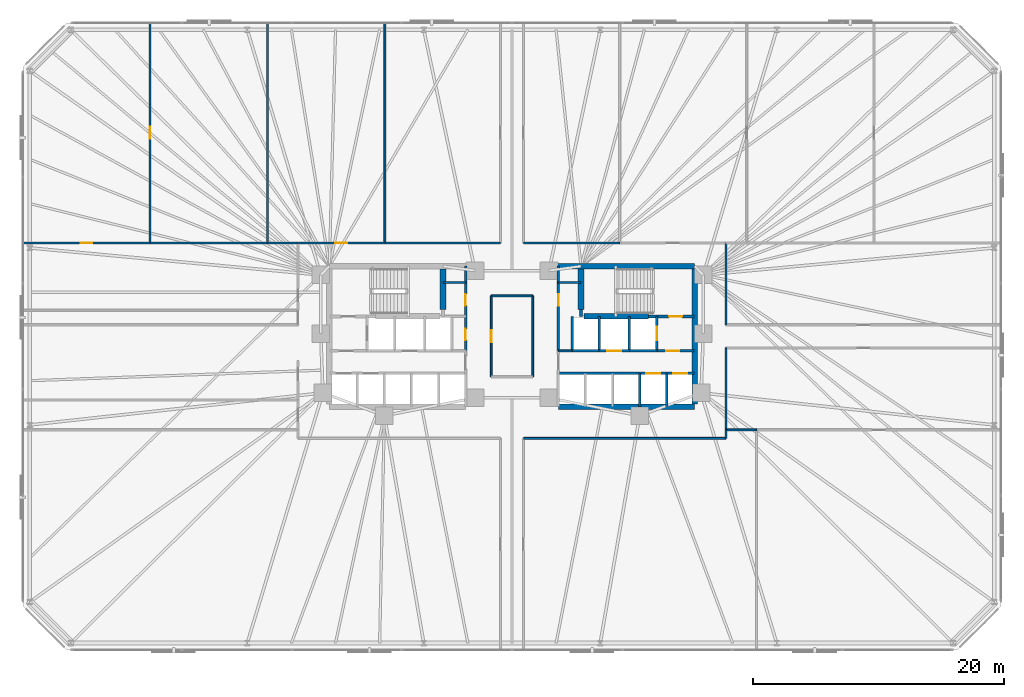
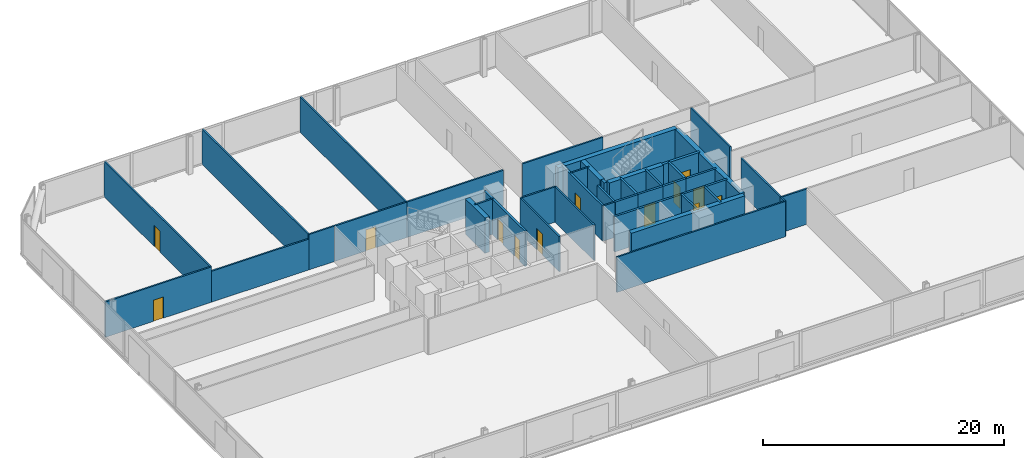
# One storey, part 13 of 16: 41 walls, 13 doors, 13 openings.
"""IFC4 building model written with IfcOpenShell, lengths in metres."""

from ifc_helpers import new_model, si_unit, direction, frame, frame_2d, origin, place, context, subcontext, project, spatial, rectangle, extrude, material, layer, layer_set, type_object, element, fill, save


model = new_model("IFC4")

# Units and contexts
model_context = context("Model", 3, precision=1e-05, world=origin(), true_north=direction((0.0, 1.0)))
body_context = subcontext(model_context, "Body", "Model", "MODEL_VIEW")
ifc_project = project(units=[si_unit("LENGTHUNIT", "METRE"), si_unit("AREAUNIT", "SQUARE_METRE"), si_unit("VOLUMEUNIT", "CUBIC_METRE"), si_unit("PLANEANGLEUNIT", "RADIAN"), si_unit("MASSUNIT", "GRAM", prefix="KILO")], contexts=[model_context])

# Site, building, storey
site_placement = place(None, origin())
site = spatial("IfcSite", under=ifc_project, at=site_placement, CompositionType="ELEMENT")
building_placement = place(site_placement, origin())
building = spatial("IfcBuilding", under=site, at=building_placement, Name="Menara Jurai Vektor", CompositionType="ELEMENT")
storey_placement = place(building_placement, frame((0.0, 0.0, 59.800048828125)))
storey = spatial("IfcBuildingStorey", under=building, at=storey_placement, Name="L14", CompositionType="ELEMENT", Elevation=59.800048828125)

# Wall, opening, door
ifc_material_1 = material(Name="Concrete C40/50", Category="concrete")
ifc_layer_1 = layer(ifc_material_1, 0.25)
ifc_layer_set_1 = layer_set([ifc_layer_1], Name="Concrete C40/50")
wall_type_1 = type_object("IfcWallType", Name="INT-WALL-CORE-250", PredefinedType="STANDARD", material=ifc_layer_set_1)
wall_1_placement = place(storey_placement, frame((10.89990234375, 1.60009765625, 0.0), z_axis=(0.0, 0.0, 1.0), x_axis=(1.0, 0.0, 0.0)))
wall_1 = element("IfcWall", 1, at=wall_1_placement, inside=storey, type_object=wall_type_1, Name="Interior Wall IW-250 L14", PredefinedType="STANDARD", context=body_context, shape_type="SweptSolid", body=[
    extrude(rectangle(XDim=3.60009765625, YDim=0.25, at=frame_2d((1.800048828125, 0.0))), origin(), (0.0, 0.0, 1.0), 3.574951171875),
])
opening_1_placement = place(wall_1_placement, frame((1.6201171875, 0.0, 0.0)))
opening_1 = element("IfcOpeningElement", 2, at=opening_1_placement, cuts=wall_1, Name="Opening D-L14-ST2", PredefinedType="OPENING", context=body_context, shape_type="SweptSolid", body=[
    extrude(rectangle(XDim=1.050048828125, YDim=2.14990234375, at=frame_2d((0.52490234375, 1.074951171875))), frame((0.0, 0.135009765625, 0.0), z_axis=(0.0, -1.0, 0.0), x_axis=(1.0, 0.0, 0.0)), (0.0, 0.0, 1.0), 0.27001953125),
])
ifc_material_2 = material(Name="Fire-Rated Steel Door", Category="steel")
door_type_1 = type_object("IfcDoorType", Name="DR-STAIR-1050", OperationType="NOTDEFINED", PredefinedType="DOOR", material=ifc_material_2)
door_1_placement = place(opening_1_placement, origin())
door_1 = element("IfcDoor", 3, at=door_1_placement, inside=storey, type_object=door_type_1, Name="Exit Stair ST2 Door L14", OperationType="SINGLE_SWING_LEFT", OverallHeight=2.14990234375, OverallWidth=1.050048828125, PredefinedType="DOOR", context=body_context, shape_type="SweptSolid", body=[
    extrude(rectangle(XDim=1.050048828125, YDim=2.14990234375, at=frame_2d((0.52490234375, 1.074951171875))), frame((0.0, 0.02490234375, 0.0), z_axis=(0.0, -1.0, 0.0), x_axis=(1.0, 0.0, 0.0)), (0.0, 0.0, 1.0), 0.050048828125),
])
fill(opening_1, door_1)

# Wall
wall_2_placement = place(storey_placement, frame((5.5, 1.60009765625, 0.0), z_axis=(0.0, 0.0, 1.0), x_axis=(0.0, 1.0, 0.0)))
element("IfcWall", 4, at=wall_2_placement, inside=storey, type_object=wall_type_1, Name="Interior Wall IW-250 L14", PredefinedType="STANDARD", context=body_context, shape_type="SweptSolid", body=[
    extrude(rectangle(XDim=0.5498046875, YDim=0.25, at=frame_2d((0.27490234375, 0.0))), origin(), (0.0, 0.0, 1.0), 3.574951171875),
])

# Wall, opening, door
wall_3_placement = place(storey_placement, frame((11.550048828125, -1.14990234375, 0.0), z_axis=(0.0, 0.0, 1.0), x_axis=(0.0, 1.0, 0.0)))
wall_3 = element("IfcWall", 5, at=wall_3_placement, inside=storey, type_object=wall_type_1, Name="Interior Wall IW-250 L14", PredefinedType="STANDARD", context=body_context, shape_type="SweptSolid", body=[
    extrude(rectangle(XDim=2.75, YDim=0.199951171875, at=frame_2d((1.375, 0.0))), origin(), (0.0, 0.0, 1.0), 3.574951171875),
])
opening_2_placement = place(wall_3_placement, frame((0.824951171875, 0.0, 0.0)))
opening_2 = element("IfcOpeningElement", 6, at=opening_2_placement, cuts=wall_3, Name="Opening LD-L14-FL2", PredefinedType="OPENING", context=body_context, shape_type="SweptSolid", body=[
    extrude(rectangle(XDim=1.10009765625, YDim=2.14990234375, at=frame_2d((0.550048828125, 1.074951171875))), frame((0.0, 0.10986328125, 0.0), z_axis=(0.0, -1.0, 0.0), x_axis=(1.0, 0.0, 0.0)), (0.0, 0.0, 1.0), 0.219970703125),
])
ifc_material_3 = material(Name="Stainless Steel Sliding Lift Landing Door", Category="steel")
door_type_2 = type_object("IfcDoorType", Name="DR-LIFT-FIRE-1100", OperationType="NOTDEFINED", PredefinedType="DOOR", material=ifc_material_3)
door_2_placement = place(opening_2_placement, origin())
door_2 = element("IfcDoor", 7, at=door_2_placement, inside=storey, type_object=door_type_2, Name="Lift Landing Door FL2 L14", OperationType="SLIDING_TO_RIGHT", OverallHeight=2.14990234375, OverallWidth=1.10009765625, PredefinedType="DOOR", context=body_context, shape_type="SweptSolid", body=[
    extrude(rectangle(XDim=1.10009765625, YDim=2.14990234375, at=frame_2d((0.550048828125, 1.074951171875))), frame((0.0, 0.02490234375, 0.0), z_axis=(0.0, -1.0, 0.0), x_axis=(1.0, 0.0, 0.0)), (0.0, 0.0, 1.0), 0.050048828125),
])
fill(opening_2, door_2)

# Wall
wall_4_placement = place(storey_placement, frame((9.35009765625, -1.14990234375, 0.0), z_axis=(0.0, 0.0, 1.0), x_axis=(0.0, 1.0, 0.0)))
element("IfcWall", 8, at=wall_4_placement, inside=storey, type_object=wall_type_1, Name="Interior Wall IW-250 L14", PredefinedType="STANDARD", context=body_context, shape_type="SweptSolid", body=[
    extrude(rectangle(XDim=2.75, YDim=0.199951171875, at=frame_2d((1.375, 0.0))), origin(), (0.0, 0.0, 1.0), 3.574951171875),
])

# Wall, opening, door
wall_5_placement = place(storey_placement, frame((11.550048828125, -1.14990234375, 0.0), z_axis=(0.0, 0.0, 1.0), x_axis=(1.0, 0.0, 0.0)))
wall_5 = element("IfcWall", 9, at=wall_5_placement, inside=storey, type_object=wall_type_1, Name="Interior Wall IW-250 L14", PredefinedType="STANDARD", context=body_context, shape_type="SweptSolid", body=[
    extrude(rectangle(XDim=2.949951171875, YDim=0.199951171875, at=frame_2d((1.47509765625, 0.0))), origin(), (0.0, 0.0, 1.0), 3.574951171875),
])
opening_3_placement = place(wall_5_placement, frame((0.75, 0.0, 0.0)))
opening_3 = element("IfcOpeningElement", 10, at=opening_3_placement, cuts=wall_5, Name="Opening D-L14-FFE", PredefinedType="OPENING", context=body_context, shape_type="SweptSolid", body=[
    extrude(rectangle(XDim=1.050048828125, YDim=2.179931640625, at=frame_2d((0.52490234375, 1.08984375))), frame((0.0, 0.10986328125, 0.0), z_axis=(0.0, -1.0, 0.0), x_axis=(1.0, 0.0, 0.0)), (0.0, 0.0, 1.0), 0.219970703125),
])
ifc_material_4 = material(Name="Fire-Rated Timber Door", Category="wood")
door_type_3 = type_object("IfcDoorType", Name="DR-LOBBY-1050", OperationType="NOTDEFINED", PredefinedType="DOOR", material=ifc_material_4)
door_3_placement = place(opening_3_placement, origin())
door_3 = element("IfcDoor", 11, at=door_3_placement, inside=storey, type_object=door_type_3, Name="Fire Lift Lobby Door E L14", OperationType="SINGLE_SWING_LEFT", OverallHeight=2.179931640625, OverallWidth=1.050048828125, PredefinedType="DOOR", context=body_context, shape_type="SweptSolid", body=[
    extrude(rectangle(XDim=1.050048828125, YDim=2.179931640625, at=frame_2d((0.52490234375, 1.08984375))), frame((0.0, 0.02490234375, 0.0), z_axis=(0.0, -1.0, 0.0), x_axis=(1.0, 0.0, 0.0)), (0.0, 0.0, 1.0), 0.050048828125),
])
fill(opening_3, door_3)

# Walls
wall_6_placement = place(storey_placement, frame((9.35009765625, -1.14990234375, 0.0), z_axis=(0.0, 0.0, 1.0), x_axis=(1.0, 0.0, 0.0)))
element("IfcWall", 12, at=wall_6_placement, inside=storey, type_object=wall_type_1, Name="Interior Wall IW-250 L14", PredefinedType="STANDARD", context=body_context, shape_type="SweptSolid", body=[
    extrude(rectangle(XDim=2.199951171875, YDim=0.199951171875, at=frame_2d((1.10009765625, 0.0))), origin(), (0.0, 0.0, 1.0), 3.574951171875),
])
ifc_material_5 = material(Name="Gypsum Fireboard Partition", Category="gypsum")
ifc_layer_2 = layer(ifc_material_5, 0.14990234375)
ifc_layer_set_2 = layer_set([ifc_layer_2], Name="Gypsum Fireboard Partition")
wall_type_2 = type_object("IfcWallType", Name="INT-WALL-CORR-150", PredefinedType="PARTITIONING", material=ifc_layer_set_2)
wall_7_placement = place(storey_placement, frame((3.699951171875, -1.14990234375, 0.0), z_axis=(0.0, 0.0, 1.0), x_axis=(1.0, 0.0, 0.0)))
element("IfcWall", 13, at=wall_7_placement, inside=storey, type_object=wall_type_2, Name="Interior Wall IW-150 L14", PredefinedType="PARTITIONING", context=body_context, shape_type="SweptSolid", body=[
    extrude(rectangle(XDim=1.090087890625, YDim=0.14990234375, at=frame_2d((0.544921875, 0.0))), origin(), (0.0, 0.0, 1.0), 3.574951171875),
])
for number, where, z_axis, x_axis, name in (
    (14, (-5.5, 4.300048828125, 0.0), (0.0, 0.0, 1.0), (1.0, 0.0, 0.0), "Interior Wall IW-150 L14"),
    (15, (3.699951171875, 4.300048828125, 0.0), (0.0, 0.0, 1.0), (1.0, 0.0, 0.0), "Interior Wall IW-150 L14"),
):
    element("IfcWall", number, at=place(storey_placement, frame(where, z_axis=z_axis, x_axis=x_axis)), inside=storey, type_object=wall_type_2, Name=name, PredefinedType="PARTITIONING", context=body_context, shape_type="SweptSolid", body=[
        extrude(rectangle(XDim=1.800048828125, YDim=0.14990234375, at=frame_2d((0.89990234375, 0.0))), origin(), (0.0, 0.0, 1.0), 3.574951171875),
    ])

# Wall, opening, door
wall_8_placement = place(storey_placement, frame((-1.64990234375, -3.22998046875, 0.0), z_axis=(0.0, 0.0, 1.0), x_axis=(0.0, 1.0, 0.0)))
wall_8 = element("IfcWall", 16, at=wall_8_placement, inside=storey, type_object=wall_type_2, Name="Interior Wall IW-150 L14", PredefinedType="PARTITIONING", context=body_context, shape_type="SweptSolid", body=[
    extrude(rectangle(XDim=6.4599609375, YDim=0.14990234375, at=frame_2d((3.22998046875, 0.0))), origin(), (0.0, 0.0, 1.0), 3.574951171875),
])
opening_4_placement = place(wall_8_placement, frame((2.7548828125, 0.0, 0.0)))
opening_4 = element("IfcOpeningElement", 17, at=opening_4_placement, cuts=wall_8, Name="Opening D14-04", PredefinedType="OPENING", context=body_context, shape_type="SweptSolid", body=[
    extrude(rectangle(XDim=0.949951171875, YDim=2.14990234375, at=frame_2d((0.47509765625, 1.074951171875))), frame((0.0, 0.0849609375, 0.0), z_axis=(0.0, -1.0, 0.0), x_axis=(1.0, 0.0, 0.0)), (0.0, 0.0, 1.0), 0.169921875),
])
ifc_material_6 = material(Name="Solid Core Timber Fire Door", Category="wood")
door_type_4 = type_object("IfcDoorType", Name="DR-ENTRY-950", OperationType="NOTDEFINED", PredefinedType="DOOR", material=ifc_material_6)
door_4_placement = place(opening_4_placement, origin())
door_4 = element("IfcDoor", 18, at=door_4_placement, inside=storey, type_object=door_type_4, Name="Interior Door D14-04", OperationType="SINGLE_SWING_LEFT", OverallHeight=2.14990234375, OverallWidth=0.949951171875, PredefinedType="DOOR", context=body_context, shape_type="SweptSolid", body=[
    extrude(rectangle(XDim=0.949951171875, YDim=2.14990234375, at=frame_2d((0.47509765625, 1.074951171875))), frame((0.0, 0.02490234375, 0.0), z_axis=(0.0, -1.0, 0.0), x_axis=(1.0, 0.0, 0.0)), (0.0, 0.0, 1.0), 0.050048828125),
])
fill(opening_4, door_4)

# Walls
wall_9_placement = place(storey_placement, frame((-1.64990234375, 3.22998046875, 0.0), z_axis=(0.0, 0.0, 1.0), x_axis=(1.0, 0.0, 0.0)))
element("IfcWall", 19, at=wall_9_placement, inside=storey, type_object=wall_type_2, Name="Interior Wall IW-150 L14", PredefinedType="PARTITIONING", context=body_context, shape_type="SweptSolid", body=[
    extrude(rectangle(XDim=3.2998046875, YDim=0.14990234375, at=frame_2d((1.64990234375, 0.0))), origin(), (0.0, 0.0, 1.0), 3.574951171875),
])
wall_10_placement = place(storey_placement, frame((1.64990234375, -3.22998046875, 0.0), z_axis=(0.0, 0.0, 1.0), x_axis=(0.0, 1.0, 0.0)))
element("IfcWall", 20, at=wall_10_placement, inside=storey, type_object=wall_type_2, Name="Interior Wall IW-150 L14", PredefinedType="PARTITIONING", context=body_context, shape_type="SweptSolid", body=[
    extrude(rectangle(XDim=6.4599609375, YDim=0.14990234375, at=frame_2d((3.22998046875, 0.0))), origin(), (0.0, 0.0, 1.0), 3.574951171875),
])

# Wall, opening, door
wall_11_placement = place(storey_placement, frame((-17.05908203125, 7.449951171875, 0.0), z_axis=(0.0, 0.0, 1.0), x_axis=(1.0, 0.0, 0.0)))
wall_11 = element("IfcWall", 21, at=wall_11_placement, inside=storey, type_object=wall_type_2, Name="Interior Wall IW-150 L14", PredefinedType="PARTITIONING", context=body_context, shape_type="SweptSolid", body=[
    extrude(rectangle(XDim=6.919189453125, YDim=0.14990234375, at=frame_2d((3.45947265625, 0.0))), origin(), (0.0, 0.0, 1.0), 3.574951171875),
])
opening_5_placement = place(wall_11_placement, frame((2.984619140625, 0.0, 0.0)))
opening_5 = element("IfcOpeningElement", 22, at=opening_5_placement, cuts=wall_11, Name="Opening D14-05", PredefinedType="OPENING", context=body_context, shape_type="SweptSolid", body=[
    extrude(rectangle(XDim=0.949951171875, YDim=2.14990234375, at=frame_2d((0.47509765625, 1.074951171875))), frame((0.0, 0.0849609375, 0.0), z_axis=(0.0, -1.0, 0.0), x_axis=(1.0, 0.0, 0.0)), (0.0, 0.0, 1.0), 0.169921875),
])
door_5_placement = place(opening_5_placement, origin())
door_5 = element("IfcDoor", 23, at=door_5_placement, inside=storey, type_object=door_type_4, Name="Interior Door D14-05", OperationType="SINGLE_SWING_RIGHT", OverallHeight=2.14990234375, OverallWidth=0.949951171875, PredefinedType="DOOR", context=body_context, shape_type="SweptSolid", body=[
    extrude(rectangle(XDim=0.949951171875, YDim=2.14990234375, at=frame_2d((0.47509765625, 1.074951171875))), frame((0.0, 0.02490234375, 0.0), z_axis=(0.0, -1.0, 0.0), x_axis=(1.0, 0.0, 0.0)), (0.0, 0.0, 1.0), 0.050048828125),
])
fill(opening_5, door_5)

# Walls
wall_12_placement = place(storey_placement, frame((-10.139892578125, 7.449951171875, 0.0), z_axis=(0.0, 0.0, 1.0), x_axis=(1.0, 0.0, 0.0)))
element("IfcWall", 24, at=wall_12_placement, inside=storey, type_object=wall_type_2, Name="Interior Wall IW-150 L14", PredefinedType="PARTITIONING", context=body_context, shape_type="SweptSolid", body=[
    extrude(rectangle(XDim=9.219970703125, YDim=0.14990234375, at=frame_2d((4.60986328125, 0.0))), origin(), (0.0, 0.0, 1.0), 3.574951171875),
])
wall_13_placement = place(storey_placement, frame((0.919921875, 7.449951171875, 0.0), z_axis=(0.0, 0.0, 1.0), x_axis=(1.0, 0.0, 0.0)))
element("IfcWall", 25, at=wall_13_placement, inside=storey, type_object=wall_type_2, Name="Interior Wall IW-150 L14", PredefinedType="PARTITIONING", context=body_context, shape_type="SweptSolid", body=[
    extrude(rectangle(XDim=7.66015625, YDim=0.14990234375, at=frame_2d((3.830078125, 0.0))), origin(), (0.0, 0.0, 1.0), 3.574951171875),
])
wall_14_placement = place(storey_placement, frame((0.919921875, -8.1298828125, 0.0), z_axis=(0.0, 0.0, 1.0), x_axis=(1.0, 0.0, 0.0)))
element("IfcWall", 26, at=wall_14_placement, inside=storey, type_object=wall_type_2, Name="Interior Wall IW-150 L14", PredefinedType="PARTITIONING", context=body_context, shape_type="SweptSolid", body=[
    extrude(rectangle(XDim=16.13916015625, YDim=0.14990234375, at=frame_2d((8.069580078125, 0.0))), origin(), (0.0, 0.0, 1.0), 3.574951171875),
])
wall_15_placement = place(storey_placement, frame((17.05908203125, -8.1298828125, 0.0), z_axis=(0.0, 0.0, 1.0), x_axis=(0.0, 1.0, 0.0)))
element("IfcWall", 27, at=wall_15_placement, inside=storey, type_object=wall_type_2, Name="Interior Wall IW-150 L14", PredefinedType="PARTITIONING", context=body_context, shape_type="SweptSolid", body=[
    extrude(rectangle(XDim=0.679931640625, YDim=0.14990234375, at=frame_2d((0.33984375, 0.0))), origin(), (0.0, 0.0, 1.0), 3.574951171875),
])
for number, where, z_axis, x_axis, name in (
    (28, (17.05908203125, -7.449951171875, 0.0), (0.0, 0.0, 1.0), (0.0, 1.0, 0.0), "Interior Wall IW-150 L14"),
    (29, (17.05908203125, 0.919921875, 0.0), (0.0, 0.0, 1.0), (0.0, 1.0, 0.0), "Interior Wall IW-150 L14"),
):
    element("IfcWall", number, at=place(storey_placement, frame(where, z_axis=z_axis, x_axis=x_axis)), inside=storey, type_object=wall_type_2, Name=name, PredefinedType="PARTITIONING", context=body_context, shape_type="SweptSolid", body=[
        extrude(rectangle(XDim=6.530029296875, YDim=0.14990234375, at=frame_2d((3.26513671875, 0.0))), origin(), (0.0, 0.0, 1.0), 3.574951171875),
    ])

# Wall, opening, door
wall_16_placement = place(storey_placement, frame((-28.860107421875, 7.449951171875, 0.0), z_axis=(0.0, 0.0, 1.0), x_axis=(0.0, 1.0, 0.0)))
wall_16 = element("IfcWall", 30, at=wall_16_placement, inside=storey, type_object=wall_type_2, Name="Interior Wall IW-150 L14", PredefinedType="PARTITIONING", context=body_context, shape_type="SweptSolid", body=[
    extrude(rectangle(XDim=17.550048828125, YDim=0.14990234375, at=frame_2d((8.77490234375, 0.0))), origin(), (0.0, 0.0, 1.0), 3.574951171875),
])
opening_6_placement = place(wall_16_placement, frame((8.300048828125, 0.0, 0.0)))
opening_6 = element("IfcOpeningElement", 31, at=opening_6_placement, cuts=wall_16, Name="Opening D14-18", PredefinedType="OPENING", context=body_context, shape_type="SweptSolid", body=[
    extrude(rectangle(XDim=0.949951171875, YDim=2.14990234375, at=frame_2d((0.47509765625, 1.074951171875))), frame((0.0, 0.0849609375, 0.0), z_axis=(0.0, -1.0, 0.0), x_axis=(1.0, 0.0, 0.0)), (0.0, 0.0, 1.0), 0.169921875),
])
door_6_placement = place(opening_6_placement, origin())
door_6 = element("IfcDoor", 32, at=door_6_placement, inside=storey, type_object=door_type_4, Name="Interior Door D14-18", OperationType="SINGLE_SWING_LEFT", OverallHeight=2.14990234375, OverallWidth=0.949951171875, PredefinedType="DOOR", context=body_context, shape_type="SweptSolid", body=[
    extrude(rectangle(XDim=0.949951171875, YDim=2.14990234375, at=frame_2d((0.47509765625, 1.074951171875))), frame((0.0, 0.02490234375, 0.0), z_axis=(0.0, -1.0, 0.0), x_axis=(1.0, 0.0, 0.0)), (0.0, 0.0, 1.0), 0.050048828125),
])
fill(opening_6, door_6)

wall_17_placement = place(storey_placement, frame((-39.0, 7.449951171875, 0.0), z_axis=(0.0, 0.0, 1.0), x_axis=(1.0, 0.0, 0.0)))
wall_17 = element("IfcWall", 33, at=wall_17_placement, inside=storey, type_object=wall_type_2, Name="Interior Wall IW-150 L14", PredefinedType="PARTITIONING", context=body_context, shape_type="SweptSolid", body=[
    extrude(rectangle(XDim=10.139892578125, YDim=0.14990234375, at=frame_2d((5.06982421875, 0.0))), origin(), (0.0, 0.0, 1.0), 3.574951171875),
])
opening_7_placement = place(wall_17_placement, frame((4.594970703125, 0.0, 0.0)))
opening_7 = element("IfcOpeningElement", 34, at=opening_7_placement, cuts=wall_17, Name="Opening D14-17", PredefinedType="OPENING", context=body_context, shape_type="SweptSolid", body=[
    extrude(rectangle(XDim=0.949951171875, YDim=2.14990234375, at=frame_2d((0.47509765625, 1.074951171875))), frame((0.0, 0.0849609375, 0.0), z_axis=(0.0, -1.0, 0.0), x_axis=(1.0, 0.0, 0.0)), (0.0, 0.0, 1.0), 0.169921875),
])
door_7_placement = place(opening_7_placement, origin())
door_7 = element("IfcDoor", 35, at=door_7_placement, inside=storey, type_object=door_type_4, Name="Interior Door D14-17", OperationType="SINGLE_SWING_RIGHT", OverallHeight=2.14990234375, OverallWidth=0.949951171875, PredefinedType="DOOR", context=body_context, shape_type="SweptSolid", body=[
    extrude(rectangle(XDim=0.949951171875, YDim=2.14990234375, at=frame_2d((0.47509765625, 1.074951171875))), frame((0.0, 0.02490234375, 0.0), z_axis=(0.0, -1.0, 0.0), x_axis=(1.0, 0.0, 0.0)), (0.0, 0.0, 1.0), 0.050048828125),
])
fill(opening_7, door_7)

# Walls
for number, where, z_axis, x_axis, name in (
    (36, (-19.5, 7.449951171875, 0.0), (0.0, 0.0, 1.0), (0.0, 1.0, 0.0), "Interior Wall IW-150 L14"),
    (37, (-10.139892578125, 7.449951171875, 0.0), (0.0, 0.0, 1.0), (0.0, 1.0, 0.0), "Interior Wall IW-150 L14"),
):
    element("IfcWall", number, at=place(storey_placement, frame(where, z_axis=z_axis, x_axis=x_axis)), inside=storey, type_object=wall_type_2, Name=name, PredefinedType="PARTITIONING", context=body_context, shape_type="SweptSolid", body=[
        extrude(rectangle(XDim=17.550048828125, YDim=0.14990234375, at=frame_2d((8.77490234375, 0.0))), origin(), (0.0, 0.0, 1.0), 3.574951171875),
    ])
for number, where, z_axis, x_axis, name in (
    (38, (-19.5, 7.449951171875, 0.0), (0.0, 0.0, 1.0), (1.0, 0.0, 0.0), "Interior Wall IW-150 L14"),
    (39, (17.05908203125, -7.449951171875, 0.0), (0.0, 0.0, 1.0), (1.0, 0.0, 0.0), "Interior Wall IW-150 L14"),
):
    element("IfcWall", number, at=place(storey_placement, frame(where, z_axis=z_axis, x_axis=x_axis)), inside=storey, type_object=wall_type_2, Name=name, PredefinedType="PARTITIONING", context=body_context, shape_type="SweptSolid", body=[
        extrude(rectangle(XDim=2.44091796875, YDim=0.14990234375, at=frame_2d((1.220458984375, 0.0))), origin(), (0.0, 0.0, 1.0), 3.574951171875),
    ])
ifc_layer_3 = layer(ifc_material_5, 0.14990234375)
ifc_layer_set_3 = layer_set([ifc_layer_3], Name="Gypsum Fireboard Partition")
wall_type_3 = type_object("IfcWallType", Name="INT-WALL-CORR-150-H1", PredefinedType="PARTITIONING", material=ifc_layer_set_3)
wall_18_placement = place(storey_placement, frame((-28.860107421875, 7.449951171875, 0.0), z_axis=(0.0, 0.0, 1.0), x_axis=(1.0, 0.0, 0.0)))
element("IfcWall", 40, at=wall_18_placement, inside=storey, type_object=wall_type_3, Name="Interior Wall IW-150 L14", PredefinedType="PARTITIONING", context=body_context, shape_type="SweptSolid", body=[
    extrude(rectangle(XDim=9.360107421875, YDim=0.14990234375, at=frame_2d((4.68017578125, 0.0))), origin(), (0.0, 0.0, 1.0), 3.125),
])

# Wall, openings, doors
ifc_layer_4 = layer(ifc_material_1, 0.199951171875)
ifc_layer_set_4 = layer_set([ifc_layer_4], Name="Concrete C40/50")
wall_type_4 = type_object("IfcWallType", Name="INT-WALL-SHAFT-200", PredefinedType="STANDARD", material=ifc_layer_set_4)
wall_19_placement = place(storey_placement, frame((-3.699951171875, -1.14990234375, 0.0), z_axis=(0.0, 0.0, 1.0), x_axis=(0.0, 1.0, 0.0)))
wall_19 = element("IfcWall", 41, at=wall_19_placement, inside=storey, type_object=wall_type_4, Name="Interior Wall IW-200 L14", PredefinedType="STANDARD", context=body_context, shape_type="SweptSolid", body=[
    extrude(rectangle(XDim=6.75, YDim=0.199951171875, at=frame_2d((3.375, 0.0))), origin(), (0.0, 0.0, 1.0), 3.574951171875),
])
opening_8_placement = place(wall_19_placement, frame((3.60009765625, 0.0, 0.0)))
opening_8 = element("IfcOpeningElement", 42, at=opening_8_placement, cuts=wall_19, Name="Opening D14-01", PredefinedType="OPENING", context=body_context, shape_type="SweptSolid", body=[
    extrude(rectangle(XDim=0.919921875, YDim=2.14990234375, at=frame_2d((0.4599609375, 1.074951171875))), frame((0.0, 0.10986328125, 0.0), z_axis=(0.0, -1.0, 0.0), x_axis=(1.0, 0.0, 0.0)), (0.0, 0.0, 1.0), 0.219970703125),
])
opening_9_placement = place(wall_19_placement, frame((0.85009765625, 0.0, 0.0)))
opening_9 = element("IfcOpeningElement", 43, at=opening_9_placement, cuts=wall_19, Name="Opening D14-02", PredefinedType="OPENING", context=body_context, shape_type="SweptSolid", body=[
    extrude(rectangle(XDim=0.89990234375, YDim=2.14990234375, at=frame_2d((0.449951171875, 1.074951171875))), frame((0.0, 0.10986328125, 0.0), z_axis=(0.0, -1.0, 0.0), x_axis=(1.0, 0.0, 0.0)), (0.0, 0.0, 1.0), 0.219970703125),
])
door_8_placement = place(opening_8_placement, origin())
door_8 = element("IfcDoor", 44, at=door_8_placement, inside=storey, type_object=door_type_4, Name="Interior Door D14-01", OperationType="SINGLE_SWING_LEFT", OverallHeight=2.14990234375, OverallWidth=0.919921875, PredefinedType="DOOR", context=body_context, shape_type="SweptSolid", body=[
    extrude(rectangle(XDim=0.919921875, YDim=2.14990234375, at=frame_2d((0.4599609375, 1.074951171875))), frame((0.0, 0.02490234375, 0.0), z_axis=(0.0, -1.0, 0.0), x_axis=(1.0, 0.0, 0.0)), (0.0, 0.0, 1.0), 0.050048828125),
])
fill(opening_8, door_8)
door_9_placement = place(opening_9_placement, origin())
door_9 = element("IfcDoor", 45, at=door_9_placement, inside=storey, type_object=door_type_4, Name="Interior Door D14-02", OperationType="SINGLE_SWING_LEFT", OverallHeight=2.14990234375, OverallWidth=0.89990234375, PredefinedType="DOOR", context=body_context, shape_type="SweptSolid", body=[
    extrude(rectangle(XDim=0.89990234375, YDim=2.14990234375, at=frame_2d((0.449951171875, 1.074951171875))), frame((0.0, 0.02490234375, 0.0), z_axis=(0.0, -1.0, 0.0), x_axis=(1.0, 0.0, 0.0)), (0.0, 0.0, 1.0), 0.050048828125),
])
fill(opening_9, door_9)

# Wall, opening, door
wall_20_placement = place(storey_placement, frame((3.699951171875, -1.14990234375, 0.0), z_axis=(0.0, 0.0, 1.0), x_axis=(0.0, 1.0, 0.0)))
wall_20 = element("IfcWall", 46, at=wall_20_placement, inside=storey, type_object=wall_type_4, Name="Interior Wall IW-200 L14", PredefinedType="STANDARD", context=body_context, shape_type="SweptSolid", body=[
    extrude(rectangle(XDim=6.75, YDim=0.199951171875, at=frame_2d((3.375, 0.0))), origin(), (0.0, 0.0, 1.0), 3.574951171875),
])
opening_10_placement = place(wall_20_placement, frame((3.60009765625, 0.0, 0.0)))
opening_10 = element("IfcOpeningElement", 47, at=opening_10_placement, cuts=wall_20, Name="Opening D14-03", PredefinedType="OPENING", context=body_context, shape_type="SweptSolid", body=[
    extrude(rectangle(XDim=0.919921875, YDim=2.14990234375, at=frame_2d((0.4599609375, 1.074951171875))), frame((0.0, 0.10986328125, 0.0), z_axis=(0.0, -1.0, 0.0), x_axis=(1.0, 0.0, 0.0)), (0.0, 0.0, 1.0), 0.219970703125),
])
door_10_placement = place(opening_10_placement, origin())
door_10 = element("IfcDoor", 48, at=door_10_placement, inside=storey, type_object=door_type_4, Name="Interior Door D14-03", OperationType="SINGLE_SWING_RIGHT", OverallHeight=2.14990234375, OverallWidth=0.919921875, PredefinedType="DOOR", context=body_context, shape_type="SweptSolid", body=[
    extrude(rectangle(XDim=0.919921875, YDim=2.14990234375, at=frame_2d((0.4599609375, 1.074951171875))), frame((0.0, 0.02490234375, 0.0), z_axis=(0.0, -1.0, 0.0), x_axis=(1.0, 0.0, 0.0)), (0.0, 0.0, 1.0), 0.050048828125),
])
fill(opening_10, door_10)

# Wall
wall_21_placement = place(storey_placement, frame((6.949951171875, -1.14990234375, 0.0), z_axis=(0.0, 0.0, 1.0), x_axis=(0.0, 1.0, 0.0)))
element("IfcWall", 49, at=wall_21_placement, inside=storey, type_object=wall_type_4, Name="Interior Wall IW-200 L14", PredefinedType="STANDARD", context=body_context, shape_type="SweptSolid", body=[
    extrude(rectangle(XDim=2.75, YDim=0.199951171875, at=frame_2d((1.375, 0.0))), origin(), (0.0, 0.0, 1.0), 3.574951171875),
])

# Wall, opening, door
wall_22_placement = place(storey_placement, frame((6.949951171875, -1.14990234375, 0.0), z_axis=(0.0, 0.0, 1.0), x_axis=(1.0, 0.0, 0.0)))
wall_22 = element("IfcWall", 50, at=wall_22_placement, inside=storey, type_object=wall_type_4, Name="Interior Wall IW-200 L14", PredefinedType="STANDARD", context=body_context, shape_type="SweptSolid", body=[
    extrude(rectangle(XDim=2.400146484375, YDim=0.199951171875, at=frame_2d((1.2001953125, 0.0))), origin(), (0.0, 0.0, 1.0), 3.574951171875),
])
opening_11_placement = place(wall_22_placement, frame((0.64990234375, 0.0, 0.0)))
opening_11 = element("IfcOpeningElement", 51, at=opening_11_placement, cuts=wall_22, Name="Opening LD-L14-SVL2", PredefinedType="OPENING", context=body_context, shape_type="SweptSolid", body=[
    extrude(rectangle(XDim=1.10009765625, YDim=2.14990234375, at=frame_2d((0.550048828125, 1.074951171875))), frame((0.0, 0.10986328125, 0.0), z_axis=(0.0, -1.0, 0.0), x_axis=(1.0, 0.0, 0.0)), (0.0, 0.0, 1.0), 0.219970703125),
])
ifc_material_7 = material(Name="Anodised Stainless Sliding Lift Landing Door", Category="steel")
door_type_5 = type_object("IfcDoorType", Name="DR-LIFT-PASS-1100", OperationType="NOTDEFINED", PredefinedType="DOOR", material=ifc_material_7)
door_11_placement = place(opening_11_placement, origin())
door_11 = element("IfcDoor", 52, at=door_11_placement, inside=storey, type_object=door_type_5, Name="Lift Landing Door SVL2 L14", OperationType="SLIDING_TO_RIGHT", OverallHeight=2.14990234375, OverallWidth=1.10009765625, PredefinedType="DOOR", context=body_context, shape_type="SweptSolid", body=[
    extrude(rectangle(XDim=1.10009765625, YDim=2.14990234375, at=frame_2d((0.550048828125, 1.074951171875))), frame((0.0, 0.02490234375, 0.0), z_axis=(0.0, -1.0, 0.0), x_axis=(1.0, 0.0, 0.0)), (0.0, 0.0, 1.0), 0.050048828125),
])
fill(opening_11, door_11)

# Walls
wall_23_placement = place(storey_placement, frame((4.7900390625, -1.14990234375, 0.0), z_axis=(0.0, 0.0, 1.0), x_axis=(0.0, 1.0, 0.0)))
element("IfcWall", 53, at=wall_23_placement, inside=storey, type_object=wall_type_4, Name="Interior Wall IW-200 L14", PredefinedType="STANDARD", context=body_context, shape_type="SweptSolid", body=[
    extrude(rectangle(XDim=2.75, YDim=0.199951171875, at=frame_2d((1.375, 0.0))), origin(), (0.0, 0.0, 1.0), 3.574951171875),
])
wall_24_placement = place(storey_placement, frame((4.7900390625, -1.14990234375, 0.0), z_axis=(0.0, 0.0, 1.0), x_axis=(1.0, 0.0, 0.0)))
element("IfcWall", 54, at=wall_24_placement, inside=storey, type_object=wall_type_4, Name="Interior Wall IW-200 L14", PredefinedType="STANDARD", context=body_context, shape_type="SweptSolid", body=[
    extrude(rectangle(XDim=2.159912109375, YDim=0.199951171875, at=frame_2d((1.080078125, 0.0))), origin(), (0.0, 0.0, 1.0), 3.574951171875),
])

# Wall, openings, doors
wall_25_placement = place(storey_placement, frame((3.699951171875, -2.949951171875, 0.0), z_axis=(0.0, 0.0, 1.0), x_axis=(1.0, 0.0, 0.0)))
wall_25 = element("IfcWall", 55, at=wall_25_placement, inside=storey, type_object=wall_type_4, Name="Interior Wall IW-200 L14", PredefinedType="STANDARD", context=body_context, shape_type="SweptSolid", body=[
    extrude(rectangle(XDim=10.800048828125, YDim=0.199951171875, at=frame_2d((5.39990234375, 0.0))), origin(), (0.0, 0.0, 1.0), 3.574951171875),
])
opening_12_placement = place(wall_25_placement, frame((7.010009765625, 0.0, 0.0)))
opening_12 = element("IfcOpeningElement", 56, at=opening_12_placement, cuts=wall_25, Name="Opening LD-L14-PL3", PredefinedType="OPENING", context=body_context, shape_type="SweptSolid", body=[
    extrude(rectangle(XDim=1.10009765625, YDim=2.14990234375, at=frame_2d((0.550048828125, 1.074951171875))), frame((0.0, 0.10986328125, 0.0), z_axis=(0.0, -1.0, 0.0), x_axis=(1.0, 0.0, 0.0)), (0.0, 0.0, 1.0), 0.219970703125),
])
opening_13_placement = place(wall_25_placement, frame((9.169921875, 0.0, 0.0)))
opening_13 = element("IfcOpeningElement", 57, at=opening_13_placement, cuts=wall_25, Name="Opening LD-L14-PL4", PredefinedType="OPENING", context=body_context, shape_type="SweptSolid", body=[
    extrude(rectangle(XDim=1.10009765625, YDim=2.14990234375, at=frame_2d((0.550048828125, 1.074951171875))), frame((0.0, 0.10986328125, 0.0), z_axis=(0.0, -1.0, 0.0), x_axis=(1.0, 0.0, 0.0)), (0.0, 0.0, 1.0), 0.219970703125),
])
door_12_placement = place(opening_12_placement, origin())
door_12 = element("IfcDoor", 58, at=door_12_placement, inside=storey, type_object=door_type_5, Name="Lift Landing Door PL3 L14", OperationType="SLIDING_TO_RIGHT", OverallHeight=2.14990234375, OverallWidth=1.10009765625, PredefinedType="DOOR", context=body_context, shape_type="SweptSolid", body=[
    extrude(rectangle(XDim=1.10009765625, YDim=2.14990234375, at=frame_2d((0.550048828125, 1.074951171875))), frame((0.0, 0.02490234375, 0.0), z_axis=(0.0, -1.0, 0.0), x_axis=(1.0, 0.0, 0.0)), (0.0, 0.0, 1.0), 0.050048828125),
])
fill(opening_12, door_12)
door_13_placement = place(opening_13_placement, origin())
door_13 = element("IfcDoor", 59, at=door_13_placement, inside=storey, type_object=door_type_5, Name="Lift Landing Door PL4 L14", OperationType="SLIDING_TO_LEFT", OverallHeight=2.14990234375, OverallWidth=1.10009765625, PredefinedType="DOOR", context=body_context, shape_type="SweptSolid", body=[
    extrude(rectangle(XDim=1.10009765625, YDim=2.14990234375, at=frame_2d((0.550048828125, 1.074951171875))), frame((0.0, 0.02490234375, 0.0), z_axis=(0.0, -1.0, 0.0), x_axis=(1.0, 0.0, 0.0)), (0.0, 0.0, 1.0), 0.050048828125),
])
fill(opening_13, door_13)

# Walls
for number, where, z_axis, x_axis, name in (
    (60, (12.340087890625, -5.60009765625, 0.0), (0.0, 0.0, 1.0), (0.0, 1.0, 0.0), "Interior Wall IW-200 L14"),
    (61, (10.179931640625, -5.60009765625, 0.0), (0.0, 0.0, 1.0), (0.0, 1.0, 0.0), "Interior Wall IW-200 L14"),
):
    element("IfcWall", number, at=place(storey_placement, frame(where, z_axis=z_axis, x_axis=x_axis)), inside=storey, type_object=wall_type_4, Name=name, PredefinedType="STANDARD", context=body_context, shape_type="SweptSolid", body=[
        extrude(rectangle(XDim=2.650146484375, YDim=0.179931640625, at=frame_2d((1.3251953125, 0.0))), origin(), (0.0, 0.0, 1.0), 3.574951171875),
    ])
ifc_material_8 = material(Name="Concrete C60/75", Category="concrete")
ifc_layer_5 = layer(ifc_material_8, 0.449951171875)
ifc_layer_set_5 = layer_set([ifc_layer_5], Name="Concrete C60/75")
wall_type_5 = type_object("IfcWallType", Name="STR-WALL-CORE450", PredefinedType="SHEAR", material=ifc_layer_set_5)
wall_26_placement = place(storey_placement, frame((-5.5, 2.14990234375, 0.0), z_axis=(0.0, 0.0, 1.0), x_axis=(0.0, 1.0, 0.0)))
element("IfcWall", 62, at=wall_26_placement, inside=storey, type_object=wall_type_5, Name="Core Shear Wall CW-W-ST L14", PredefinedType="SHEAR", context=body_context, shape_type="SweptSolid", body=[
    extrude(rectangle(XDim=3.22509765625, YDim=0.449951171875, at=frame_2d((1.612548828125, 0.0))), origin(), (0.0, 0.0, 1.0), 3.574951171875),
])
wall_27_placement = place(storey_placement, frame((3.14990234375, 5.60009765625, 0.0), z_axis=(0.0, 0.0, 1.0), x_axis=(1.0, 0.0, 0.0)))
element("IfcWall", 63, at=wall_27_placement, inside=storey, type_object=wall_type_5, Name="Core Shear Wall CW-E-N L14", PredefinedType="SHEAR", context=body_context, shape_type="SweptSolid", body=[
    extrude(rectangle(XDim=11.41015625, YDim=0.449951171875, at=frame_2d((5.705078125, 0.0))), origin(), (0.0, 0.0, 1.0), 3.574951171875),
])
wall_28_placement = place(storey_placement, frame((3.699951171875, -5.60009765625, 0.0), z_axis=(0.0, 0.0, 1.0), x_axis=(1.0, 0.0, 0.0)))
element("IfcWall", 64, at=wall_28_placement, inside=storey, type_object=wall_type_5, Name="Core Shear Wall CW-E-S L14", PredefinedType="SHEAR", context=body_context, shape_type="SweptSolid", body=[
    extrude(rectangle(XDim=10.860107421875, YDim=0.449951171875, at=frame_2d((5.43017578125, 0.0))), origin(), (0.0, 0.0, 1.0), 3.574951171875),
])
wall_29_placement = place(storey_placement, frame((14.56005859375, -5.375, 0.0), z_axis=(0.0, 0.0, 1.0), x_axis=(0.0, 1.0, 0.0)))
element("IfcWall", 65, at=wall_29_placement, inside=storey, type_object=wall_type_5, Name="Core Shear Wall CW-E-E L14", PredefinedType="SHEAR", context=body_context, shape_type="SweptSolid", body=[
    extrude(rectangle(XDim=10.75, YDim=0.449951171875, at=frame_2d((5.375, 0.0))), origin(), (0.0, 0.0, 1.0), 3.574951171875),
])
wall_30_placement = place(storey_placement, frame((5.5, 2.14990234375, 0.0), z_axis=(0.0, 0.0, 1.0), x_axis=(0.0, 1.0, 0.0)))
element("IfcWall", 66, at=wall_30_placement, inside=storey, type_object=wall_type_5, Name="Core Shear Wall CW-E-ST L14", PredefinedType="SHEAR", context=body_context, shape_type="SweptSolid", body=[
    extrude(rectangle(XDim=3.22509765625, YDim=0.449951171875, at=frame_2d((1.612548828125, 0.0))), origin(), (0.0, 0.0, 1.0), 3.574951171875),
])
wall_31_placement = place(storey_placement, frame((5.75, 1.60009765625, 0.0), z_axis=(0.0, 0.0, 1.0), x_axis=(1.0, 0.0, 0.0)))
element("IfcWall", 67, at=wall_31_placement, inside=storey, type_object=wall_type_5, Name="Core Shear Wall CW-E-STS L14", PredefinedType="SHEAR", context=body_context, shape_type="SweptSolid", body=[
    extrude(rectangle(XDim=5.14990234375, YDim=0.449951171875, at=frame_2d((2.574951171875, 0.0))), origin(), (0.0, 0.0, 1.0), 3.574951171875),
])

save(model, "model.ifc")
